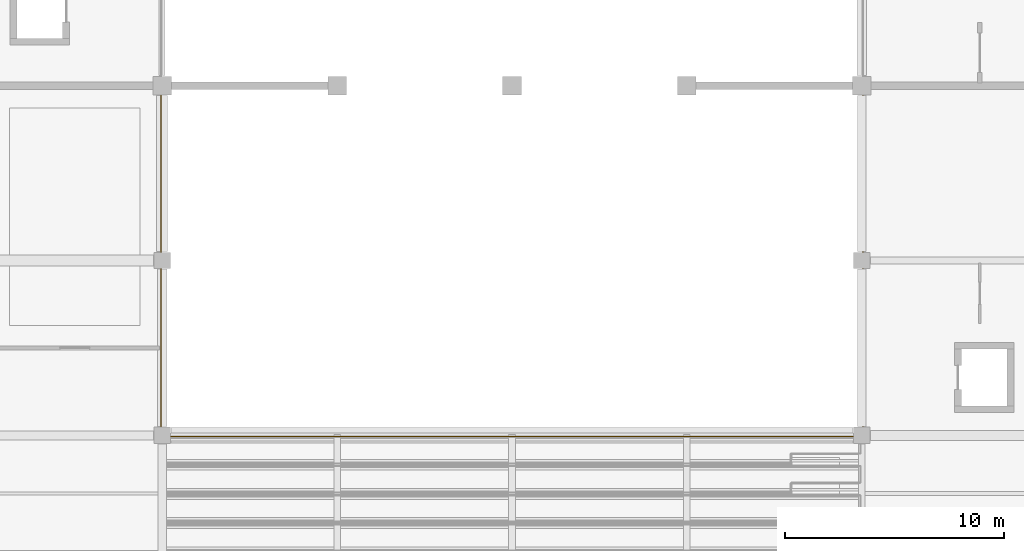
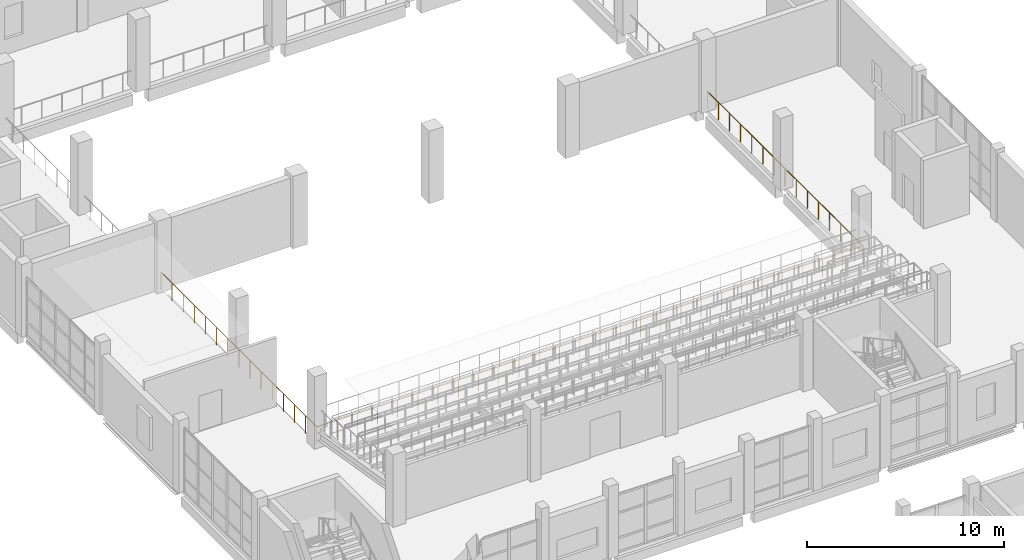
# One storey, part 170 of 183: 1 railing.
"""IFC4 building model written with IfcOpenShell, lengths in metres."""

from ifc_helpers import new_model, si_unit, direction, frame, origin, origin_2d, place, context, subcontext, project, spatial, circle, extrude, material, type_object, element, save


model = new_model("IFC4")

# Units and contexts
model_context = context("Model", 3, precision=1e-05, world=origin(), true_north=direction((0.0, 1.0)))
body_context = subcontext(model_context, "Body", "Model", "MODEL_VIEW")
ifc_project = project(units=[si_unit("LENGTHUNIT", "METRE"), si_unit("AREAUNIT", "SQUARE_METRE"), si_unit("VOLUMEUNIT", "CUBIC_METRE"), si_unit("PLANEANGLEUNIT", "RADIAN"), si_unit("MASSUNIT", "GRAM", prefix="KILO")], contexts=[model_context])

# Site, building, storey
site_placement = place(None, origin())
site = spatial("IfcSite", under=ifc_project, at=site_placement, CompositionType="ELEMENT")
building_placement = place(site_placement, origin())
building = spatial("IfcBuilding", under=site, at=building_placement, Name="Luwemba Playhouse", CompositionType="ELEMENT")
storey_placement = place(building_placement, frame((0.0, 0.0, 4.800048828125)))
storey = spatial("IfcBuildingStorey", under=building, at=storey_placement, Name="L01", CompositionType="ELEMENT", Elevation=4.800048828125)

# Railing
ifc_material = material(Name="Painted wrought-iron gallery balustrade", Category="steel")
railing_type = type_object("IfcRailingType", Name="RLG-BAL-INT", PredefinedType="BALUSTRADE", material=ifc_material)
railing_placement = place(storey_placement, frame((11.949951171875, 67.800048828125, 0.0)))
element("IfcRailing", 1, at=railing_placement, inside=storey, type_object=railing_type, Name="L01 V1 gallery void balustrade 001", PredefinedType="BALUSTRADE", context=body_context, shape_type="SweptSolid", body=[
    extrude(circle(Radius=0.02392578125, at=origin_2d()), frame((0.0, 0.0, 1.09619140625), z_axis=(0.0, -1.0, 0.0), x_axis=(1.0, 0.0, 0.0)), (0.0, 0.0, 1.0), 15.85009765625),
    extrude(circle(Radius=0.02392578125, at=origin_2d()), frame((0.0, -15.85009765625, 1.09619140625), z_axis=(1.0, 0.0, 0.0), x_axis=(0.0, 1.0, 0.0)), (0.0, 0.0, 1.0), 32.10009765625),
    extrude(circle(Radius=0.02392578125, at=origin_2d()), frame((32.10009765625, -15.85009765625, 1.09619140625), z_axis=(0.0, 1.0, 0.0), x_axis=(-1.0, 0.0, 0.0)), (0.0, 0.0, 1.0), 15.85009765625),
    extrude(circle(Radius=0.02099609375, at=origin_2d()), origin(), (0.0, 0.0, 1.0), 1.072021484375),
    extrude(circle(Radius=0.02099609375, at=origin_2d()), frame((0.0, -1.132080078125, 0.0)), (0.0, 0.0, 1.0), 1.072021484375),
    extrude(circle(Radius=0.02099609375, at=origin_2d()), frame((0.0, -2.264404296875, 0.0)), (0.0, 0.0, 1.0), 1.072021484375),
    extrude(circle(Radius=0.02099609375, at=origin_2d()), frame((0.0, -3.396484375, 0.0)), (0.0, 0.0, 1.0), 1.072021484375),
    extrude(circle(Radius=0.02099609375, at=origin_2d()), frame((0.0, -4.528564453125, 0.0)), (0.0, 0.0, 1.0), 1.072021484375),
    extrude(circle(Radius=0.02099609375, at=origin_2d()), frame((0.0, -5.66064453125, 0.0)), (0.0, 0.0, 1.0), 1.072021484375),
    extrude(circle(Radius=0.02099609375, at=origin_2d()), frame((0.0, -6.79296875, 0.0)), (0.0, 0.0, 1.0), 1.072021484375),
    extrude(circle(Radius=0.02099609375, at=origin_2d()), frame((0.0, -7.925048828125, 0.0)), (0.0, 0.0, 1.0), 1.072021484375),
    extrude(circle(Radius=0.02099609375, at=origin_2d()), frame((0.0, -9.05712890625, 0.0)), (0.0, 0.0, 1.0), 1.072021484375),
    extrude(circle(Radius=0.02099609375, at=origin_2d()), frame((0.0, -10.189453125, 0.0)), (0.0, 0.0, 1.0), 1.072021484375),
    extrude(circle(Radius=0.02099609375, at=origin_2d()), frame((0.0, -11.321533203125, 0.0)), (0.0, 0.0, 1.0), 1.072021484375),
    extrude(circle(Radius=0.02099609375, at=origin_2d()), frame((0.0, -12.45361328125, 0.0)), (0.0, 0.0, 1.0), 1.072021484375),
    extrude(circle(Radius=0.02099609375, at=origin_2d()), frame((0.0, -13.585693359375, 0.0)), (0.0, 0.0, 1.0), 1.072021484375),
    extrude(circle(Radius=0.02099609375, at=origin_2d()), frame((0.0, -14.718017578125, 0.0)), (0.0, 0.0, 1.0), 1.072021484375),
    extrude(circle(Radius=0.02099609375, at=origin_2d()), frame((0.0, -15.85009765625, 0.0)), (0.0, 0.0, 1.0), 1.072021484375),
    extrude(circle(Radius=0.02099609375, at=origin_2d()), frame((1.18896484375, -15.85009765625, 0.0)), (0.0, 0.0, 1.0), 1.072021484375),
    extrude(circle(Radius=0.02099609375, at=origin_2d()), frame((2.377685546875, -15.85009765625, 0.0)), (0.0, 0.0, 1.0), 1.072021484375),
    extrude(circle(Radius=0.02099609375, at=origin_2d()), frame((3.566650390625, -15.85009765625, 0.0)), (0.0, 0.0, 1.0), 1.072021484375),
    extrude(circle(Radius=0.02099609375, at=origin_2d()), frame((4.755615234375, -15.85009765625, 0.0)), (0.0, 0.0, 1.0), 1.072021484375),
    extrude(circle(Radius=0.02099609375, at=origin_2d()), frame((5.944580078125, -15.85009765625, 0.0)), (0.0, 0.0, 1.0), 1.072021484375),
    extrude(circle(Radius=0.02099609375, at=origin_2d()), frame((7.13330078125, -15.85009765625, 0.0)), (0.0, 0.0, 1.0), 1.072021484375),
    extrude(circle(Radius=0.02099609375, at=origin_2d()), frame((8.322265625, -15.85009765625, 0.0)), (0.0, 0.0, 1.0), 1.072021484375),
    extrude(circle(Radius=0.02099609375, at=origin_2d()), frame((9.51123046875, -15.85009765625, 0.0)), (0.0, 0.0, 1.0), 1.072021484375),
    extrude(circle(Radius=0.02099609375, at=origin_2d()), frame((10.699951171875, -15.85009765625, 0.0)), (0.0, 0.0, 1.0), 1.072021484375),
    extrude(circle(Radius=0.02099609375, at=origin_2d()), frame((11.888916015625, -15.85009765625, 0.0)), (0.0, 0.0, 1.0), 1.072021484375),
    extrude(circle(Radius=0.02099609375, at=origin_2d()), frame((13.077880859375, -15.85009765625, 0.0)), (0.0, 0.0, 1.0), 1.072021484375),
    extrude(circle(Radius=0.02099609375, at=origin_2d()), frame((14.2666015625, -15.85009765625, 0.0)), (0.0, 0.0, 1.0), 1.072021484375),
    extrude(circle(Radius=0.02099609375, at=origin_2d()), frame((15.45556640625, -15.85009765625, 0.0)), (0.0, 0.0, 1.0), 1.072021484375),
    extrude(circle(Radius=0.02099609375, at=origin_2d()), frame((16.64453125, -15.85009765625, 0.0)), (0.0, 0.0, 1.0), 1.072021484375),
    extrude(circle(Radius=0.02099609375, at=origin_2d()), frame((17.83349609375, -15.85009765625, 0.0)), (0.0, 0.0, 1.0), 1.072021484375),
    extrude(circle(Radius=0.02099609375, at=origin_2d()), frame((19.022216796875, -15.85009765625, 0.0)), (0.0, 0.0, 1.0), 1.072021484375),
    extrude(circle(Radius=0.02099609375, at=origin_2d()), frame((20.211181640625, -15.85009765625, 0.0)), (0.0, 0.0, 1.0), 1.072021484375),
    extrude(circle(Radius=0.02099609375, at=origin_2d()), frame((21.400146484375, -15.85009765625, 0.0)), (0.0, 0.0, 1.0), 1.072021484375),
    extrude(circle(Radius=0.02099609375, at=origin_2d()), frame((22.5888671875, -15.85009765625, 0.0)), (0.0, 0.0, 1.0), 1.072021484375),
    extrude(circle(Radius=0.02099609375, at=origin_2d()), frame((23.77783203125, -15.85009765625, 0.0)), (0.0, 0.0, 1.0), 1.072021484375),
    extrude(circle(Radius=0.02099609375, at=origin_2d()), frame((24.966796875, -15.85009765625, 0.0)), (0.0, 0.0, 1.0), 1.072021484375),
    extrude(circle(Radius=0.02099609375, at=origin_2d()), frame((26.155517578125, -15.85009765625, 0.0)), (0.0, 0.0, 1.0), 1.072021484375),
    extrude(circle(Radius=0.02099609375, at=origin_2d()), frame((27.344482421875, -15.85009765625, 0.0)), (0.0, 0.0, 1.0), 1.072021484375),
    extrude(circle(Radius=0.02099609375, at=origin_2d()), frame((28.533447265625, -15.85009765625, 0.0)), (0.0, 0.0, 1.0), 1.072021484375),
    extrude(circle(Radius=0.02099609375, at=origin_2d()), frame((29.722412109375, -15.85009765625, 0.0)), (0.0, 0.0, 1.0), 1.072021484375),
    extrude(circle(Radius=0.02099609375, at=origin_2d()), frame((30.9111328125, -15.85009765625, 0.0)), (0.0, 0.0, 1.0), 1.072021484375),
    extrude(circle(Radius=0.02099609375, at=origin_2d()), frame((32.10009765625, -15.85009765625, 0.0)), (0.0, 0.0, 1.0), 1.072021484375),
    extrude(circle(Radius=0.02099609375, at=origin_2d()), frame((32.10009765625, -14.718017578125, 0.0)), (0.0, 0.0, 1.0), 1.072021484375),
    extrude(circle(Radius=0.02099609375, at=origin_2d()), frame((32.10009765625, -13.585693359375, 0.0)), (0.0, 0.0, 1.0), 1.072021484375),
    extrude(circle(Radius=0.02099609375, at=origin_2d()), frame((32.10009765625, -12.45361328125, 0.0)), (0.0, 0.0, 1.0), 1.072021484375),
    extrude(circle(Radius=0.02099609375, at=origin_2d()), frame((32.10009765625, -11.321533203125, 0.0)), (0.0, 0.0, 1.0), 1.072021484375),
    extrude(circle(Radius=0.02099609375, at=origin_2d()), frame((32.10009765625, -10.189453125, 0.0)), (0.0, 0.0, 1.0), 1.072021484375),
    extrude(circle(Radius=0.02099609375, at=origin_2d()), frame((32.10009765625, -9.05712890625, 0.0)), (0.0, 0.0, 1.0), 1.072021484375),
    extrude(circle(Radius=0.02099609375, at=origin_2d()), frame((32.10009765625, -7.925048828125, 0.0)), (0.0, 0.0, 1.0), 1.072021484375),
    extrude(circle(Radius=0.02099609375, at=origin_2d()), frame((32.10009765625, -6.79296875, 0.0)), (0.0, 0.0, 1.0), 1.072021484375),
    extrude(circle(Radius=0.02099609375, at=origin_2d()), frame((32.10009765625, -5.66064453125, 0.0)), (0.0, 0.0, 1.0), 1.072021484375),
    extrude(circle(Radius=0.02099609375, at=origin_2d()), frame((32.10009765625, -4.528564453125, 0.0)), (0.0, 0.0, 1.0), 1.072021484375),
    extrude(circle(Radius=0.02099609375, at=origin_2d()), frame((32.10009765625, -3.396484375, 0.0)), (0.0, 0.0, 1.0), 1.072021484375),
    extrude(circle(Radius=0.02099609375, at=origin_2d()), frame((32.10009765625, -2.264404296875, 0.0)), (0.0, 0.0, 1.0), 1.072021484375),
    extrude(circle(Radius=0.02099609375, at=origin_2d()), frame((32.10009765625, -1.132080078125, 0.0)), (0.0, 0.0, 1.0), 1.072021484375),
    extrude(circle(Radius=0.02099609375, at=origin_2d()), frame((32.10009765625, 0.0, 0.0)), (0.0, 0.0, 1.0), 1.072021484375),
])

save(model, "model.ifc")
